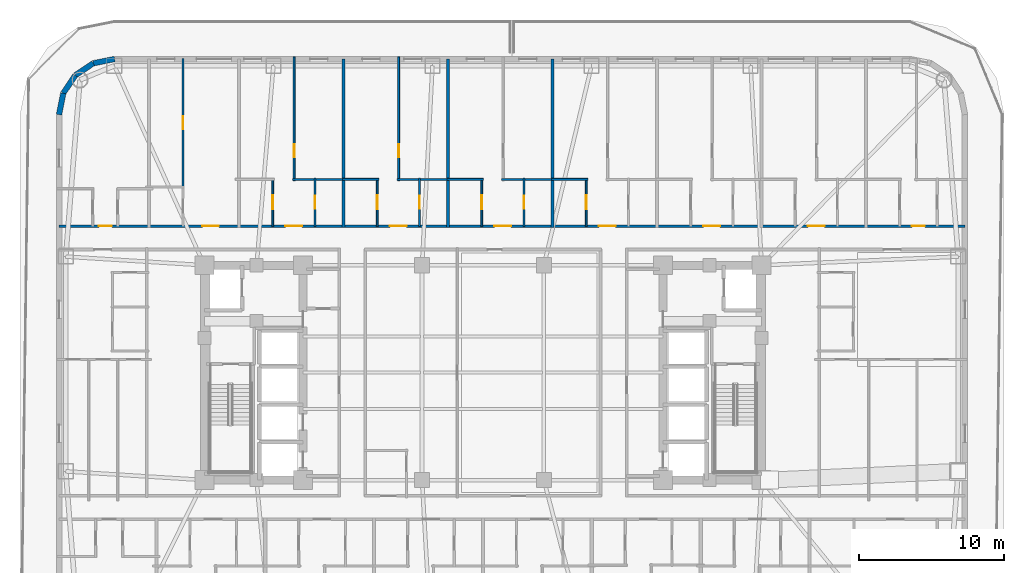
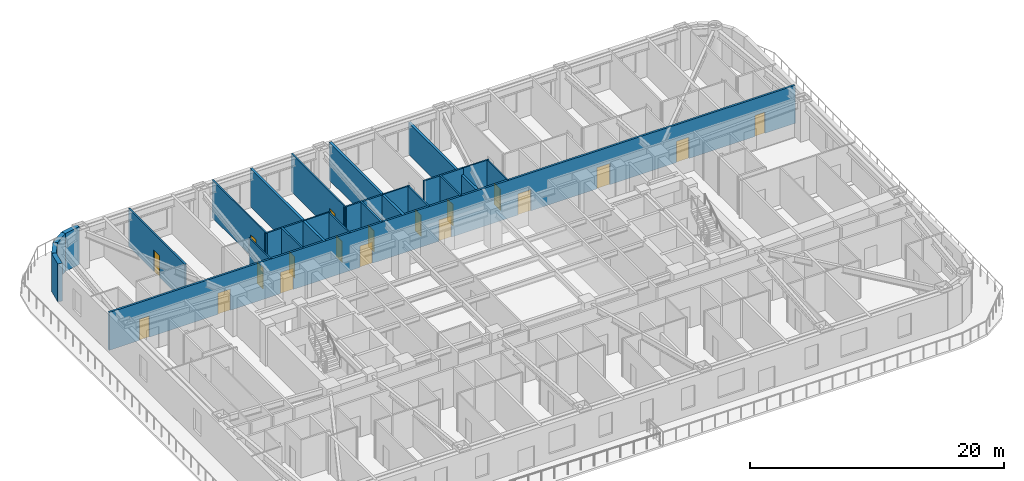
# One storey, part 8 of 16: 24 walls, 19 doors, 19 openings.
"""IFC4 building model written with IfcOpenShell, lengths in metres."""

from ifc_helpers import new_model, si_unit, direction, frame, frame_2d, origin, place, context, subcontext, project, spatial, rectangle, extrude, material, layer, layer_set, type_object, element, fill, save


model = new_model("IFC4")

# Units and contexts
model_context = context("Model", 3, precision=1e-05, world=origin(), true_north=direction((0.0, 1.0)))
body_context = subcontext(model_context, "Body", "Model", "MODEL_VIEW")
ifc_project = project(units=[si_unit("LENGTHUNIT", "METRE"), si_unit("AREAUNIT", "SQUARE_METRE"), si_unit("VOLUMEUNIT", "CUBIC_METRE"), si_unit("PLANEANGLEUNIT", "RADIAN"), si_unit("MASSUNIT", "GRAM", prefix="KILO")], contexts=[model_context])

# Site, building, storey
site_placement = place(None, origin())
site = spatial("IfcSite", under=ifc_project, at=site_placement, CompositionType="ELEMENT")
building_placement = place(site_placement, origin())
building = spatial("IfcBuilding", under=site, at=building_placement, Name="Voryun Gate Residences", CompositionType="ELEMENT")
storey_placement = place(building_placement, frame((0.0, 0.0, 113.10009765625)))
storey = spatial("IfcBuildingStorey", under=building, at=storey_placement, Name="L27", CompositionType="ELEMENT", Elevation=113.10009765625)

# Wall, openings, doors
ifc_material_1 = material(Name="Gypsum acoustic fireboard")
ifc_layer_1 = layer(ifc_material_1, 0.179931640625, Name="W_CORR_RATED_180")
ifc_layer_set_1 = layer_set([ifc_layer_1], Name="Gypsum acoustic fireboard")
wall_type_1 = type_object("IfcWallType", Name="W_CORR_RATED_180", PredefinedType="PARTITIONING", material=ifc_layer_set_1)
wall_1_placement = place(storey_placement, frame((-29.2099609375, 10.10009765625, 0.0), z_axis=(0.0, 0.0, 1.0), x_axis=(1.0, 0.0, 0.0)))
wall_1 = element("IfcWall", 1, at=wall_1_placement, inside=storey, type_object=wall_type_1, Name="Partition wall WP-L27-NCORR", PredefinedType="PARTITIONING", context=body_context, shape_type="SweptSolid", body=[
    extrude(rectangle(XDim=62.419921875, YDim=0.179931640625, at=frame_2d((31.2099609375, 0.0))), origin(), (0.0, 0.0, 1.0), 3.64990234375),
])
opening_1_placement = place(wall_1_placement, frame((2.73974609375, 0.0, 0.0)))
opening_1 = element("IfcOpeningElement", 2, at=opening_1_placement, cuts=wall_1, Name="Opening D-INT-2", PredefinedType="OPENING", context=body_context, shape_type="SweptSolid", body=[
    extrude(rectangle(XDim=0.89990234375, YDim=2.050048828125, at=frame_2d((0.449951171875, 1.02490234375))), frame((0.0, 0.099853515625, 0.0), z_axis=(0.0, -1.0, 0.0), x_axis=(1.0, 0.0, 0.0)), (0.0, 0.0, 1.0), 0.199951171875),
])
opening_2_placement = place(wall_1_placement, frame((9.867919921875, 0.0, 0.0)))
opening_2 = element("IfcOpeningElement", 3, at=opening_2_placement, cuts=wall_1, Name="Opening D-UNIT-1", PredefinedType="OPENING", context=body_context, shape_type="SweptSolid", body=[
    extrude(rectangle(XDim=1.14990234375, YDim=2.050048828125, at=frame_2d((0.574951171875, 1.02490234375))), frame((0.0, 0.099853515625, 0.0), z_axis=(0.0, -1.0, 0.0), x_axis=(1.0, 0.0, 0.0)), (0.0, 0.0, 1.0), 0.199951171875),
])
opening_3_placement = place(wall_1_placement, frame((15.597900390625, 0.0, 0.0)))
opening_3 = element("IfcOpeningElement", 4, at=opening_3_placement, cuts=wall_1, Name="Opening D-UNIT-1", PredefinedType="OPENING", context=body_context, shape_type="SweptSolid", body=[
    extrude(rectangle(XDim=1.14990234375, YDim=2.050048828125, at=frame_2d((0.574951171875, 1.02490234375))), frame((0.0, 0.099853515625, 0.0), z_axis=(0.0, -1.0, 0.0), x_axis=(1.0, 0.0, 0.0)), (0.0, 0.0, 1.0), 0.199951171875),
])
opening_4_placement = place(wall_1_placement, frame((22.80126953125, 0.0, 0.0)))
opening_4 = element("IfcOpeningElement", 5, at=opening_4_placement, cuts=wall_1, Name="Opening D-UNIT-1", PredefinedType="OPENING", context=body_context, shape_type="SweptSolid", body=[
    extrude(rectangle(XDim=1.14990234375, YDim=2.050048828125, at=frame_2d((0.574951171875, 1.02490234375))), frame((0.0, 0.099853515625, 0.0), z_axis=(0.0, -1.0, 0.0), x_axis=(1.0, 0.0, 0.0)), (0.0, 0.0, 1.0), 0.199951171875),
])
opening_5_placement = place(wall_1_placement, frame((29.998291015625, 0.0, 0.0)))
opening_5 = element("IfcOpeningElement", 6, at=opening_5_placement, cuts=wall_1, Name="Opening D-UNIT-1", PredefinedType="OPENING", context=body_context, shape_type="SweptSolid", body=[
    extrude(rectangle(XDim=1.14990234375, YDim=2.050048828125, at=frame_2d((0.574951171875, 1.02490234375))), frame((0.0, 0.099853515625, 0.0), z_axis=(0.0, -1.0, 0.0), x_axis=(1.0, 0.0, 0.0)), (0.0, 0.0, 1.0), 0.199951171875),
])
opening_6_placement = place(wall_1_placement, frame((37.20166015625, 0.0, 0.0)))
opening_6 = element("IfcOpeningElement", 7, at=opening_6_placement, cuts=wall_1, Name="Opening D-UNIT-1", PredefinedType="OPENING", context=body_context, shape_type="SweptSolid", body=[
    extrude(rectangle(XDim=1.14990234375, YDim=2.050048828125, at=frame_2d((0.574951171875, 1.02490234375))), frame((0.0, 0.099853515625, 0.0), z_axis=(0.0, -1.0, 0.0), x_axis=(1.0, 0.0, 0.0)), (0.0, 0.0, 1.0), 0.199951171875),
])
opening_7_placement = place(wall_1_placement, frame((44.398681640625, 0.0, 0.0)))
opening_7 = element("IfcOpeningElement", 8, at=opening_7_placement, cuts=wall_1, Name="Opening D-UNIT-1", PredefinedType="OPENING", context=body_context, shape_type="SweptSolid", body=[
    extrude(rectangle(XDim=1.14990234375, YDim=2.050048828125, at=frame_2d((0.574951171875, 1.02490234375))), frame((0.0, 0.099853515625, 0.0), z_axis=(0.0, -1.0, 0.0), x_axis=(1.0, 0.0, 0.0)), (0.0, 0.0, 1.0), 0.199951171875),
])
opening_8_placement = place(wall_1_placement, frame((51.601806640625, 0.0, 0.0)))
opening_8 = element("IfcOpeningElement", 9, at=opening_8_placement, cuts=wall_1, Name="Opening D-UNIT-1", PredefinedType="OPENING", context=body_context, shape_type="SweptSolid", body=[
    extrude(rectangle(XDim=1.14990234375, YDim=2.050048828125, at=frame_2d((0.574951171875, 1.02490234375))), frame((0.0, 0.099853515625, 0.0), z_axis=(0.0, -1.0, 0.0), x_axis=(1.0, 0.0, 0.0)), (0.0, 0.0, 1.0), 0.199951171875),
])
opening_9_placement = place(wall_1_placement, frame((58.76171875, 0.0, 0.0)))
opening_9 = element("IfcOpeningElement", 10, at=opening_9_placement, cuts=wall_1, Name="Opening D-INT-2", PredefinedType="OPENING", context=body_context, shape_type="SweptSolid", body=[
    extrude(rectangle(XDim=0.89990234375, YDim=2.050048828125, at=frame_2d((0.449951171875, 1.02490234375))), frame((0.0, 0.099853515625, 0.0), z_axis=(0.0, -1.0, 0.0), x_axis=(1.0, 0.0, 0.0)), (0.0, 0.0, 1.0), 0.199951171875),
])
ifc_material_2 = material(Name="Architectural oak veneer")
door_type_1 = type_object("IfcDoorType", Name="DR_INT_BATH_900", OperationType="NOTDEFINED", PredefinedType="DOOR", material=ifc_material_2)
door_1_placement = place(opening_1_placement, origin())
door_1 = element("IfcDoor", 11, at=door_1_placement, inside=storey, type_object=door_type_1, Name="Door DR-L27-NENT-1", OperationType="SINGLE_SWING_LEFT", OverallHeight=2.050048828125, OverallWidth=0.89990234375, PredefinedType="DOOR", context=body_context, shape_type="SweptSolid", body=[
    extrude(rectangle(XDim=0.89990234375, YDim=2.050048828125, at=frame_2d((0.449951171875, 1.02490234375))), frame((0.0, 0.02490234375, 0.0), z_axis=(0.0, -1.0, 0.0), x_axis=(1.0, 0.0, 0.0)), (0.0, 0.0, 1.0), 0.050048828125),
])
fill(opening_1, door_1)
door_2_placement = place(opening_9_placement, origin())
door_2 = element("IfcDoor", 12, at=door_2_placement, inside=storey, type_object=door_type_1, Name="Door DR-L27-NENT-9", OperationType="SINGLE_SWING_LEFT", OverallHeight=2.050048828125, OverallWidth=0.89990234375, PredefinedType="DOOR", context=body_context, shape_type="SweptSolid", body=[
    extrude(rectangle(XDim=0.89990234375, YDim=2.050048828125, at=frame_2d((0.449951171875, 1.02490234375))), frame((0.0, 0.02490234375, 0.0), z_axis=(0.0, -1.0, 0.0), x_axis=(1.0, 0.0, 0.0)), (0.0, 0.0, 1.0), 0.050048828125),
])
fill(opening_9, door_2)
ifc_material_3 = material(Name="Armoured timber-clad fire door", Category="wood")
door_type_2 = type_object("IfcDoorType", Name="DR_UNIT_ENTRY_1150", OperationType="NOTDEFINED", PredefinedType="DOOR", material=ifc_material_3)
door_3_placement = place(opening_2_placement, origin())
door_3 = element("IfcDoor", 13, at=door_3_placement, inside=storey, type_object=door_type_2, Name="Door DR-L27-NENT-2", OperationType="SINGLE_SWING_RIGHT", OverallHeight=2.050048828125, OverallWidth=1.14990234375, PredefinedType="DOOR", context=body_context, shape_type="SweptSolid", body=[
    extrude(rectangle(XDim=1.14990234375, YDim=2.050048828125, at=frame_2d((0.574951171875, 1.02490234375))), frame((0.0, 0.02490234375, 0.0), z_axis=(0.0, -1.0, 0.0), x_axis=(1.0, 0.0, 0.0)), (0.0, 0.0, 1.0), 0.050048828125),
])
fill(opening_2, door_3)
door_4_placement = place(opening_3_placement, origin())
door_4 = element("IfcDoor", 14, at=door_4_placement, inside=storey, type_object=door_type_2, Name="Door DR-L27-NENT-3", OperationType="SINGLE_SWING_LEFT", OverallHeight=2.050048828125, OverallWidth=1.14990234375, PredefinedType="DOOR", context=body_context, shape_type="SweptSolid", body=[
    extrude(rectangle(XDim=1.14990234375, YDim=2.050048828125, at=frame_2d((0.574951171875, 1.02490234375))), frame((0.0, 0.02490234375, 0.0), z_axis=(0.0, -1.0, 0.0), x_axis=(1.0, 0.0, 0.0)), (0.0, 0.0, 1.0), 0.050048828125),
])
fill(opening_3, door_4)
door_5_placement = place(opening_4_placement, origin())
door_5 = element("IfcDoor", 15, at=door_5_placement, inside=storey, type_object=door_type_2, Name="Door DR-L27-NENT-4", OperationType="SINGLE_SWING_RIGHT", OverallHeight=2.050048828125, OverallWidth=1.14990234375, PredefinedType="DOOR", context=body_context, shape_type="SweptSolid", body=[
    extrude(rectangle(XDim=1.14990234375, YDim=2.050048828125, at=frame_2d((0.574951171875, 1.02490234375))), frame((0.0, 0.02490234375, 0.0), z_axis=(0.0, -1.0, 0.0), x_axis=(1.0, 0.0, 0.0)), (0.0, 0.0, 1.0), 0.050048828125),
])
fill(opening_4, door_5)
door_6_placement = place(opening_5_placement, origin())
door_6 = element("IfcDoor", 16, at=door_6_placement, inside=storey, type_object=door_type_2, Name="Door DR-L27-NENT-5", OperationType="SINGLE_SWING_LEFT", OverallHeight=2.050048828125, OverallWidth=1.14990234375, PredefinedType="DOOR", context=body_context, shape_type="SweptSolid", body=[
    extrude(rectangle(XDim=1.14990234375, YDim=2.050048828125, at=frame_2d((0.574951171875, 1.02490234375))), frame((0.0, 0.02490234375, 0.0), z_axis=(0.0, -1.0, 0.0), x_axis=(1.0, 0.0, 0.0)), (0.0, 0.0, 1.0), 0.050048828125),
])
fill(opening_5, door_6)
door_7_placement = place(opening_6_placement, origin())
door_7 = element("IfcDoor", 17, at=door_7_placement, inside=storey, type_object=door_type_2, Name="Door DR-L27-NENT-6", OperationType="SINGLE_SWING_RIGHT", OverallHeight=2.050048828125, OverallWidth=1.14990234375, PredefinedType="DOOR", context=body_context, shape_type="SweptSolid", body=[
    extrude(rectangle(XDim=1.14990234375, YDim=2.050048828125, at=frame_2d((0.574951171875, 1.02490234375))), frame((0.0, 0.02490234375, 0.0), z_axis=(0.0, -1.0, 0.0), x_axis=(1.0, 0.0, 0.0)), (0.0, 0.0, 1.0), 0.050048828125),
])
fill(opening_6, door_7)
door_8_placement = place(opening_7_placement, origin())
door_8 = element("IfcDoor", 18, at=door_8_placement, inside=storey, type_object=door_type_2, Name="Door DR-L27-NENT-7", OperationType="SINGLE_SWING_LEFT", OverallHeight=2.050048828125, OverallWidth=1.14990234375, PredefinedType="DOOR", context=body_context, shape_type="SweptSolid", body=[
    extrude(rectangle(XDim=1.14990234375, YDim=2.050048828125, at=frame_2d((0.574951171875, 1.02490234375))), frame((0.0, 0.02490234375, 0.0), z_axis=(0.0, -1.0, 0.0), x_axis=(1.0, 0.0, 0.0)), (0.0, 0.0, 1.0), 0.050048828125),
])
fill(opening_7, door_8)
door_9_placement = place(opening_8_placement, origin())
door_9 = element("IfcDoor", 19, at=door_9_placement, inside=storey, type_object=door_type_2, Name="Door DR-L27-NENT-8", OperationType="SINGLE_SWING_RIGHT", OverallHeight=2.050048828125, OverallWidth=1.14990234375, PredefinedType="DOOR", context=body_context, shape_type="SweptSolid", body=[
    extrude(rectangle(XDim=1.14990234375, YDim=2.050048828125, at=frame_2d((0.574951171875, 1.02490234375))), frame((0.0, 0.02490234375, 0.0), z_axis=(0.0, -1.0, 0.0), x_axis=(1.0, 0.0, 0.0)), (0.0, 0.0, 1.0), 0.050048828125),
])
fill(opening_8, door_9)

# Walls
ifc_material_4 = material(Name="Granite masonry", Category="masonry")
ifc_layer_2 = layer(ifc_material_4, 0.3798828125, Name="W_EXT_GRANITE_380")
ifc_layer_set_2 = layer_set([ifc_layer_2], Name="Granite masonry")
wall_type_2 = type_object("IfcWallType", Name="W_EXT_GRANITE_380", PredefinedType="ELEMENTEDWALL", material=ifc_layer_set_2)
wall_2_placement = place(storey_placement, frame((-29.2099609375, 17.78125, 0.0), z_axis=(0.0, 0.0, 1.0), x_axis=(0.195086038585, 0.980786132421, 0.0)))
element("IfcWall", 20, at=wall_2_placement, inside=storey, type_object=wall_type_2, Name="Exterior wall WEXT-L27-07", PredefinedType="ELEMENTEDWALL", context=body_context, shape_type="SweptSolid", body=[
    extrude(rectangle(XDim=1.504150390625, YDim=0.3798828125, at=frame_2d((0.751953125, 0.0))), origin(), (0.0, 0.0, 1.0), 3.64990234375),
])
wall_3_placement = place(storey_placement, frame((-28.91650390625, 19.256591796875, 0.0), z_axis=(0.0, 0.0, 1.0), x_axis=(0.555610286119, 0.831442848281, 0.0)))
element("IfcWall", 21, at=wall_3_placement, inside=storey, type_object=wall_type_2, Name="Exterior wall WEXT-L27-08", PredefinedType="ELEMENTEDWALL", context=body_context, shape_type="SweptSolid", body=[
    extrude(rectangle(XDim=1.485107421875, YDim=0.3798828125, at=frame_2d((0.74267578125, 0.0))), origin(), (0.0, 0.0, 1.0), 3.64990234375),
])
wall_4_placement = place(storey_placement, frame((-28.09130859375, 20.491455078125, 0.0), z_axis=(0.0, 0.0, 1.0), x_axis=(0.831468045563, 0.555572577804, 0.0)))
element("IfcWall", 22, at=wall_4_placement, inside=storey, type_object=wall_type_2, Name="Exterior wall WEXT-L27-09", PredefinedType="ELEMENTEDWALL", context=body_context, shape_type="SweptSolid", body=[
    extrude(rectangle(XDim=1.48486328125, YDim=0.3798828125, at=frame_2d((0.742431640625, 0.0))), origin(), (0.0, 0.0, 1.0), 3.64990234375),
])
wall_5_placement = place(storey_placement, frame((-26.856689453125, 21.31640625, 0.0), z_axis=(0.0, 0.0, 1.0), x_axis=(0.980755066645, 0.195242155415, 0.0)))
element("IfcWall", 23, at=wall_5_placement, inside=storey, type_object=wall_type_2, Name="Exterior wall WEXT-L27-10", PredefinedType="ELEMENTEDWALL", context=body_context, shape_type="SweptSolid", body=[
    extrude(rectangle(XDim=1.50439453125, YDim=0.3798828125, at=frame_2d((0.752197265625, 0.0))), origin(), (0.0, 0.0, 1.0), 3.64990234375),
])
ifc_material_5 = material(Name="Concrete C40/50", Category="concrete")
ifc_layer_3 = layer(ifc_material_5, 0.219970703125, Name="W_PARTY_ACOUSTIC_220")
ifc_layer_set_3 = layer_set([ifc_layer_3], Name="Concrete C40/50")
wall_type_3 = type_object("IfcWallType", Name="W_PARTY_ACOUSTIC_220", PredefinedType="PARTITIONING", material=ifc_layer_set_3)
for number, where, z_axis, x_axis, name in (
    (24, (-9.60009765625, 10.02001953125, 0.0), (0.0, 0.0, 1.0), (0.0, 1.0, 0.0), "Partition wall WP-L27-NPTY-3"),
    (25, (-2.39990234375, 10.02001953125, 0.0), (0.0, 0.0, 1.0), (0.0, 1.0, 0.0), "Partition wall WP-L27-NPTY-4"),
):
    element("IfcWall", number, at=place(storey_placement, frame(where, z_axis=z_axis, x_axis=x_axis)), inside=storey, type_object=wall_type_3, Name=name, PredefinedType="PARTITIONING", context=body_context, shape_type="SweptSolid", body=[
        extrude(rectangle(XDim=11.590087890625, YDim=0.219970703125, at=frame_2d((5.794921875, 0.0))), origin(), (0.0, 0.0, 1.0), 3.64990234375),
    ])
wall_6_placement = place(storey_placement, frame((4.800048828125, 10.02001953125, 0.0), z_axis=(0.0, 0.0, 1.0), x_axis=(0.0, 1.0, 0.0)))
element("IfcWall", 26, at=wall_6_placement, inside=storey, type_object=wall_type_3, Name="Partition wall WP-L27-NPTY-5", PredefinedType="PARTITIONING", context=body_context, shape_type="SweptSolid", body=[
    extrude(rectangle(XDim=11.590087890625, YDim=0.219970703125, at=frame_2d((5.794921875, 0.0))), origin(), (0.0, 0.0, 1.0), 3.039794921875),
])

# Wall, opening, door
ifc_material_6 = material(Name="Gypsum acoustic partition")
ifc_layer_4 = layer(ifc_material_6, 0.125, Name="W_UNIT_PART_125")
ifc_layer_set_4 = layer_set([ifc_layer_4], Name="Gypsum acoustic partition")
wall_type_4 = type_object("IfcWallType", Name="W_UNIT_PART_125", PredefinedType="PARTITIONING", material=ifc_layer_set_4)
wall_7_placement = place(storey_placement, frame((-13.010009765625, 13.239990234375, 0.0), z_axis=(0.0, 0.0, 1.0), x_axis=(0.0, 1.0, 0.0)))
wall_7 = element("IfcWall", 27, at=wall_7_placement, inside=storey, type_object=wall_type_4, Name="Partition wall WP-L27-N3-OVR", PredefinedType="PARTITIONING", context=body_context, shape_type="SweptSolid", body=[
    extrude(rectangle(XDim=8.52001953125, YDim=0.125, at=frame_2d((4.260009765625, 0.0))), origin(), (0.0, 0.0, 1.0), 3.64990234375),
])
opening_10_placement = place(wall_7_placement, frame((1.5947265625, 0.0, 0.0)))
opening_10 = element("IfcOpeningElement", 28, at=opening_10_placement, cuts=wall_7, Name="Opening D-INT-2", PredefinedType="OPENING", context=body_context, shape_type="SweptSolid", body=[
    extrude(rectangle(XDim=0.89990234375, YDim=2.050048828125, at=frame_2d((0.449951171875, 1.02490234375))), frame((0.0, 0.072509765625, 0.0), z_axis=(0.0, -1.0, 0.0), x_axis=(1.0, 0.0, 0.0)), (0.0, 0.0, 1.0), 0.14501953125),
])
door_10_placement = place(opening_10_placement, origin())
door_10 = element("IfcDoor", 29, at=door_10_placement, inside=storey, type_object=door_type_1, Name="Door DR-L27-N3-DMB", OperationType="SINGLE_SWING_RIGHT", OverallHeight=2.050048828125, OverallWidth=0.89990234375, PredefinedType="DOOR", context=body_context, shape_type="SweptSolid", body=[
    extrude(rectangle(XDim=0.89990234375, YDim=2.050048828125, at=frame_2d((0.449951171875, 1.02490234375))), frame((0.0, 0.02490234375, 0.0), z_axis=(0.0, -1.0, 0.0), x_axis=(1.0, 0.0, 0.0)), (0.0, 0.0, 1.0), 0.050048828125),
])
fill(opening_10, door_10)

wall_8_placement = place(storey_placement, frame((-14.489990234375, 10.080078125, 0.0), z_axis=(0.0, 0.0, 1.0), x_axis=(0.0, 1.0, 0.0)))
wall_8 = element("IfcWall", 30, at=wall_8_placement, inside=storey, type_object=wall_type_4, Name="Partition wall WP-L27-N3-IVK", PredefinedType="PARTITIONING", context=body_context, shape_type="SweptSolid", body=[
    extrude(rectangle(XDim=3.31982421875, YDim=0.125, at=frame_2d((1.659912109375, 0.0))), origin(), (0.0, 0.0, 1.0), 3.64990234375),
])
opening_11_placement = place(wall_8_placement, frame((1.18505859375, 0.0, 0.0)))
opening_11 = element("IfcOpeningElement", 31, at=opening_11_placement, cuts=wall_8, Name="Opening D-INT-1", PredefinedType="OPENING", context=body_context, shape_type="SweptSolid", body=[
    extrude(rectangle(XDim=0.949951171875, YDim=2.050048828125, at=frame_2d((0.47509765625, 1.02490234375))), frame((0.0, 0.072509765625, 0.0), z_axis=(0.0, -1.0, 0.0), x_axis=(1.0, 0.0, 0.0)), (0.0, 0.0, 1.0), 0.14501953125),
])
ifc_material_7 = material(Name="Architectural oak veneer")
door_type_3 = type_object("IfcDoorType", Name="DR_INT_ROOM_950", OperationType="NOTDEFINED", PredefinedType="DOOR", material=ifc_material_7)
door_11_placement = place(opening_11_placement, origin())
door_11 = element("IfcDoor", 32, at=door_11_placement, inside=storey, type_object=door_type_3, Name="Door DR-L27-N3-DK", OperationType="SINGLE_SWING_LEFT", OverallHeight=2.050048828125, OverallWidth=0.949951171875, PredefinedType="DOOR", context=body_context, shape_type="SweptSolid", body=[
    extrude(rectangle(XDim=0.949951171875, YDim=2.050048828125, at=frame_2d((0.47509765625, 1.02490234375))), frame((0.0, 0.02490234375, 0.0), z_axis=(0.0, -1.0, 0.0), x_axis=(1.0, 0.0, 0.0)), (0.0, 0.0, 1.0), 0.050048828125),
])
fill(opening_11, door_11)

wall_9_placement = place(storey_placement, frame((-5.81005859375, 13.239990234375, 0.0), z_axis=(0.0, 0.0, 1.0), x_axis=(0.0, 1.0, 0.0)))
wall_9 = element("IfcWall", 33, at=wall_9_placement, inside=storey, type_object=wall_type_4, Name="Partition wall WP-L27-N4-OVR", PredefinedType="PARTITIONING", context=body_context, shape_type="SweptSolid", body=[
    extrude(rectangle(XDim=8.52001953125, YDim=0.125, at=frame_2d((4.260009765625, 0.0))), origin(), (0.0, 0.0, 1.0), 3.64990234375),
])
opening_12_placement = place(wall_9_placement, frame((1.5947265625, 0.0, 0.0)))
opening_12 = element("IfcOpeningElement", 34, at=opening_12_placement, cuts=wall_9, Name="Opening D-INT-2", PredefinedType="OPENING", context=body_context, shape_type="SweptSolid", body=[
    extrude(rectangle(XDim=0.89990234375, YDim=2.050048828125, at=frame_2d((0.449951171875, 1.02490234375))), frame((0.0, 0.072509765625, 0.0), z_axis=(0.0, -1.0, 0.0), x_axis=(1.0, 0.0, 0.0)), (0.0, 0.0, 1.0), 0.14501953125),
])
door_12_placement = place(opening_12_placement, origin())
door_12 = element("IfcDoor", 35, at=door_12_placement, inside=storey, type_object=door_type_1, Name="Door DR-L27-N4-DMB", OperationType="SINGLE_SWING_RIGHT", OverallHeight=2.050048828125, OverallWidth=0.89990234375, PredefinedType="DOOR", context=body_context, shape_type="SweptSolid", body=[
    extrude(rectangle(XDim=0.89990234375, YDim=2.050048828125, at=frame_2d((0.449951171875, 1.02490234375))), frame((0.0, 0.02490234375, 0.0), z_axis=(0.0, -1.0, 0.0), x_axis=(1.0, 0.0, 0.0)), (0.0, 0.0, 1.0), 0.050048828125),
])
fill(opening_12, door_12)

wall_10_placement = place(storey_placement, frame((-7.2900390625, 10.080078125, 0.0), z_axis=(0.0, 0.0, 1.0), x_axis=(0.0, 1.0, 0.0)))
wall_10 = element("IfcWall", 36, at=wall_10_placement, inside=storey, type_object=wall_type_4, Name="Partition wall WP-L27-N4-IVK", PredefinedType="PARTITIONING", context=body_context, shape_type="SweptSolid", body=[
    extrude(rectangle(XDim=3.31982421875, YDim=0.125, at=frame_2d((1.659912109375, 0.0))), origin(), (0.0, 0.0, 1.0), 3.64990234375),
])
opening_13_placement = place(wall_10_placement, frame((1.18505859375, 0.0, 0.0)))
opening_13 = element("IfcOpeningElement", 37, at=opening_13_placement, cuts=wall_10, Name="Opening D-INT-1", PredefinedType="OPENING", context=body_context, shape_type="SweptSolid", body=[
    extrude(rectangle(XDim=0.949951171875, YDim=2.050048828125, at=frame_2d((0.47509765625, 1.02490234375))), frame((0.0, 0.072509765625, 0.0), z_axis=(0.0, -1.0, 0.0), x_axis=(1.0, 0.0, 0.0)), (0.0, 0.0, 1.0), 0.14501953125),
])
door_13_placement = place(opening_13_placement, origin())
door_13 = element("IfcDoor", 38, at=door_13_placement, inside=storey, type_object=door_type_3, Name="Door DR-L27-N4-DK", OperationType="SINGLE_SWING_LEFT", OverallHeight=2.050048828125, OverallWidth=0.949951171875, PredefinedType="DOOR", context=body_context, shape_type="SweptSolid", body=[
    extrude(rectangle(XDim=0.949951171875, YDim=2.050048828125, at=frame_2d((0.47509765625, 1.02490234375))), frame((0.0, 0.02490234375, 0.0), z_axis=(0.0, -1.0, 0.0), x_axis=(1.0, 0.0, 0.0)), (0.0, 0.0, 1.0), 0.050048828125),
])
fill(opening_13, door_13)

# Wall
wall_11_placement = place(storey_placement, frame((-9.675048828125, 13.320068359375, 0.0), z_axis=(0.0, 0.0, 1.0), x_axis=(1.0, 0.0, 0.0)))
element("IfcWall", 39, at=wall_11_placement, inside=storey, type_object=wall_type_4, Name="Partition wall WP-L27-N4-HZK", PredefinedType="PARTITIONING", context=body_context, shape_type="SweptSolid", body=[
    extrude(rectangle(XDim=2.505126953125, YDim=0.125, at=frame_2d((1.25244140625, 0.0))), origin(), (0.0, 0.0, 1.0), 3.64990234375),
])

# Wall, opening, door
wall_12_placement = place(storey_placement, frame((-0.090087890625, 10.080078125, 0.0), z_axis=(0.0, 0.0, 1.0), x_axis=(0.0, 1.0, 0.0)))
wall_12 = element("IfcWall", 40, at=wall_12_placement, inside=storey, type_object=wall_type_4, Name="Partition wall WP-L27-N5-IVK", PredefinedType="PARTITIONING", context=body_context, shape_type="SweptSolid", body=[
    extrude(rectangle(XDim=3.31982421875, YDim=0.125, at=frame_2d((1.659912109375, 0.0))), origin(), (0.0, 0.0, 1.0), 3.64990234375),
])
opening_14_placement = place(wall_12_placement, frame((1.18505859375, 0.0, 0.0)))
opening_14 = element("IfcOpeningElement", 41, at=opening_14_placement, cuts=wall_12, Name="Opening D-INT-1", PredefinedType="OPENING", context=body_context, shape_type="SweptSolid", body=[
    extrude(rectangle(XDim=0.949951171875, YDim=2.050048828125, at=frame_2d((0.47509765625, 1.02490234375))), frame((0.0, 0.072509765625, 0.0), z_axis=(0.0, -1.0, 0.0), x_axis=(1.0, 0.0, 0.0)), (0.0, 0.0, 1.0), 0.14501953125),
])
door_14_placement = place(opening_14_placement, origin())
door_14 = element("IfcDoor", 42, at=door_14_placement, inside=storey, type_object=door_type_3, Name="Door DR-L27-N5-DK", OperationType="SINGLE_SWING_LEFT", OverallHeight=2.050048828125, OverallWidth=0.949951171875, PredefinedType="DOOR", context=body_context, shape_type="SweptSolid", body=[
    extrude(rectangle(XDim=0.949951171875, YDim=2.050048828125, at=frame_2d((0.47509765625, 1.02490234375))), frame((0.0, 0.02490234375, 0.0), z_axis=(0.0, -1.0, 0.0), x_axis=(1.0, 0.0, 0.0)), (0.0, 0.0, 1.0), 0.050048828125),
])
fill(opening_14, door_14)

# Wall
wall_13_placement = place(storey_placement, frame((-2.47509765625, 13.320068359375, 0.0), z_axis=(0.0, 0.0, 1.0), x_axis=(1.0, 0.0, 0.0)))
element("IfcWall", 43, at=wall_13_placement, inside=storey, type_object=wall_type_4, Name="Partition wall WP-L27-N5-HZK", PredefinedType="PARTITIONING", context=body_context, shape_type="SweptSolid", body=[
    extrude(rectangle(XDim=2.505126953125, YDim=0.125, at=frame_2d((1.25244140625, 0.0))), origin(), (0.0, 0.0, 1.0), 3.64990234375),
])

# Wall, opening, door
wall_14_placement = place(storey_placement, frame((7.110107421875, 10.080078125, 0.0), z_axis=(0.0, 0.0, 1.0), x_axis=(0.0, 1.0, 0.0)))
wall_14 = element("IfcWall", 44, at=wall_14_placement, inside=storey, type_object=wall_type_4, Name="Partition wall WP-L27-N6-IVK", PredefinedType="PARTITIONING", context=body_context, shape_type="SweptSolid", body=[
    extrude(rectangle(XDim=3.31982421875, YDim=0.125, at=frame_2d((1.659912109375, 0.0))), origin(), (0.0, 0.0, 1.0), 3.64990234375),
])
opening_15_placement = place(wall_14_placement, frame((1.18505859375, 0.0, 0.0)))
opening_15 = element("IfcOpeningElement", 45, at=opening_15_placement, cuts=wall_14, Name="Opening D-INT-1", PredefinedType="OPENING", context=body_context, shape_type="SweptSolid", body=[
    extrude(rectangle(XDim=0.949951171875, YDim=2.050048828125, at=frame_2d((0.47509765625, 1.02490234375))), frame((0.0, 0.072509765625, 0.0), z_axis=(0.0, -1.0, 0.0), x_axis=(1.0, 0.0, 0.0)), (0.0, 0.0, 1.0), 0.14501953125),
])
door_15_placement = place(opening_15_placement, origin())
door_15 = element("IfcDoor", 46, at=door_15_placement, inside=storey, type_object=door_type_3, Name="Door DR-L27-N6-DK", OperationType="SINGLE_SWING_LEFT", OverallHeight=2.050048828125, OverallWidth=0.949951171875, PredefinedType="DOOR", context=body_context, shape_type="SweptSolid", body=[
    extrude(rectangle(XDim=0.949951171875, YDim=2.050048828125, at=frame_2d((0.47509765625, 1.02490234375))), frame((0.0, 0.02490234375, 0.0), z_axis=(0.0, -1.0, 0.0), x_axis=(1.0, 0.0, 0.0)), (0.0, 0.0, 1.0), 0.050048828125),
])
fill(opening_15, door_15)

# Wall
wall_15_placement = place(storey_placement, frame((4.72509765625, 13.320068359375, 0.0), z_axis=(0.0, 0.0, 1.0), x_axis=(1.0, 0.0, 0.0)))
element("IfcWall", 47, at=wall_15_placement, inside=storey, type_object=wall_type_4, Name="Partition wall WP-L27-N6-HZK", PredefinedType="PARTITIONING", context=body_context, shape_type="SweptSolid", body=[
    extrude(rectangle(XDim=2.5048828125, YDim=0.125, at=frame_2d((1.25244140625, 0.0))), origin(), (0.0, 0.0, 1.0), 3.64990234375),
])

# Wall, opening, door
ifc_material_8 = material(Name="Gypsum moisture-resistant partition")
ifc_layer_5 = layer(ifc_material_8, 0.14990234375, Name="W_WET_PLUMB_150")
ifc_layer_set_5 = layer_set([ifc_layer_5], Name="Gypsum moisture-resistant partition")
wall_type_5 = type_object("IfcWallType", Name="W_WET_PLUMB_150", PredefinedType="PLUMBINGWALL", material=ifc_layer_set_5)
wall_16_placement = place(storey_placement, frame((-20.677978515625, 12.760009765625, 0.0), z_axis=(0.0, 0.0, 1.0), x_axis=(0.0, 1.0, 0.0)))
wall_16 = element("IfcWall", 48, at=wall_16_placement, inside=storey, type_object=wall_type_5, Name="Partition wall WP-L27-N2-SVT2", PredefinedType="PLUMBINGWALL", context=body_context, shape_type="SweptSolid", body=[
    extrude(rectangle(XDim=8.897705078125, YDim=0.14990234375, at=frame_2d((4.44873046875, 0.0))), origin(), (0.0, 0.0, 1.0), 3.64990234375),
])
opening_16_placement = place(wall_16_placement, frame((3.998779296875, 0.0, 0.0)))
opening_16 = element("IfcOpeningElement", 49, at=opening_16_placement, cuts=wall_16, Name="Opening D-INT-2", PredefinedType="OPENING", context=body_context, shape_type="SweptSolid", body=[
    extrude(rectangle(XDim=0.89990234375, YDim=2.050048828125, at=frame_2d((0.449951171875, 1.02490234375))), frame((0.0, 0.0849609375, 0.0), z_axis=(0.0, -1.0, 0.0), x_axis=(1.0, 0.0, 0.0)), (0.0, 0.0, 1.0), 0.169921875),
])
door_16_placement = place(opening_16_placement, origin())
door_16 = element("IfcDoor", 50, at=door_16_placement, inside=storey, type_object=door_type_1, Name="Door DR-L27-N2-DK", OperationType="SINGLE_SWING_RIGHT", OverallHeight=2.050048828125, OverallWidth=0.89990234375, PredefinedType="DOOR", context=body_context, shape_type="SweptSolid", body=[
    extrude(rectangle(XDim=0.89990234375, YDim=2.050048828125, at=frame_2d((0.449951171875, 1.02490234375))), frame((0.0, 0.02490234375, 0.0), z_axis=(0.0, -1.0, 0.0), x_axis=(1.0, 0.0, 0.0)), (0.0, 0.0, 1.0), 0.050048828125),
])
fill(opening_16, door_16)

# Wall
wall_17_placement = place(storey_placement, frame((-13.1298828125, 13.320068359375, 0.0), z_axis=(0.0, 0.0, 1.0), x_axis=(1.0, 0.0, 0.0)))
element("IfcWall", 51, at=wall_17_placement, inside=storey, type_object=wall_type_5, Name="Partition wall WP-L27-N3-HZB", PredefinedType="PLUMBINGWALL", context=body_context, shape_type="SweptSolid", body=[
    extrude(rectangle(XDim=3.60498046875, YDim=0.14990234375, at=frame_2d((1.802490234375, 0.0))), origin(), (0.0, 0.0, 1.0), 3.64990234375),
])

# Wall, opening, door
wall_18_placement = place(storey_placement, frame((-11.580078125, 10.080078125, 0.0), z_axis=(0.0, 0.0, 1.0), x_axis=(0.0, 1.0, 0.0)))
wall_18 = element("IfcWall", 52, at=wall_18_placement, inside=storey, type_object=wall_type_5, Name="Partition wall WP-L27-N3-IVB", PredefinedType="PLUMBINGWALL", context=body_context, shape_type="SweptSolid", body=[
    extrude(rectangle(XDim=3.31982421875, YDim=0.14990234375, at=frame_2d((1.659912109375, 0.0))), origin(), (0.0, 0.0, 1.0), 3.64990234375),
])
opening_17_placement = place(wall_18_placement, frame((1.2099609375, 0.0, 0.0)))
opening_17 = element("IfcOpeningElement", 53, at=opening_17_placement, cuts=wall_18, Name="Opening D-INT-2", PredefinedType="OPENING", context=body_context, shape_type="SweptSolid", body=[
    extrude(rectangle(XDim=0.89990234375, YDim=2.050048828125, at=frame_2d((0.449951171875, 1.02490234375))), frame((0.0, 0.0849609375, 0.0), z_axis=(0.0, -1.0, 0.0), x_axis=(1.0, 0.0, 0.0)), (0.0, 0.0, 1.0), 0.169921875),
])
door_17_placement = place(opening_17_placement, origin())
door_17 = element("IfcDoor", 54, at=door_17_placement, inside=storey, type_object=door_type_1, Name="Door DR-L27-N3-DB", OperationType="SINGLE_SWING_RIGHT", OverallHeight=2.050048828125, OverallWidth=0.89990234375, PredefinedType="DOOR", context=body_context, shape_type="SweptSolid", body=[
    extrude(rectangle(XDim=0.89990234375, YDim=2.050048828125, at=frame_2d((0.449951171875, 1.02490234375))), frame((0.0, 0.02490234375, 0.0), z_axis=(0.0, -1.0, 0.0), x_axis=(1.0, 0.0, 0.0)), (0.0, 0.0, 1.0), 0.050048828125),
])
fill(opening_17, door_17)

# Wall
wall_19_placement = place(storey_placement, frame((-5.929931640625, 13.320068359375, 0.0), z_axis=(0.0, 0.0, 1.0), x_axis=(1.0, 0.0, 0.0)))
element("IfcWall", 55, at=wall_19_placement, inside=storey, type_object=wall_type_5, Name="Partition wall WP-L27-N4-HZB", PredefinedType="PLUMBINGWALL", context=body_context, shape_type="SweptSolid", body=[
    extrude(rectangle(XDim=3.60498046875, YDim=0.14990234375, at=frame_2d((1.802490234375, 0.0))), origin(), (0.0, 0.0, 1.0), 3.64990234375),
])

# Wall, opening, door
wall_20_placement = place(storey_placement, frame((-4.3798828125, 10.080078125, 0.0), z_axis=(0.0, 0.0, 1.0), x_axis=(0.0, 1.0, 0.0)))
wall_20 = element("IfcWall", 56, at=wall_20_placement, inside=storey, type_object=wall_type_5, Name="Partition wall WP-L27-N4-IVB", PredefinedType="PLUMBINGWALL", context=body_context, shape_type="SweptSolid", body=[
    extrude(rectangle(XDim=3.31982421875, YDim=0.14990234375, at=frame_2d((1.659912109375, 0.0))), origin(), (0.0, 0.0, 1.0), 3.64990234375),
])
opening_18_placement = place(wall_20_placement, frame((1.2099609375, 0.0, 0.0)))
opening_18 = element("IfcOpeningElement", 57, at=opening_18_placement, cuts=wall_20, Name="Opening D-INT-2", PredefinedType="OPENING", context=body_context, shape_type="SweptSolid", body=[
    extrude(rectangle(XDim=0.89990234375, YDim=2.050048828125, at=frame_2d((0.449951171875, 1.02490234375))), frame((0.0, 0.0849609375, 0.0), z_axis=(0.0, -1.0, 0.0), x_axis=(1.0, 0.0, 0.0)), (0.0, 0.0, 1.0), 0.169921875),
])
door_18_placement = place(opening_18_placement, origin())
door_18 = element("IfcDoor", 58, at=door_18_placement, inside=storey, type_object=door_type_1, Name="Door DR-L27-N4-DB", OperationType="SINGLE_SWING_RIGHT", OverallHeight=2.050048828125, OverallWidth=0.89990234375, PredefinedType="DOOR", context=body_context, shape_type="SweptSolid", body=[
    extrude(rectangle(XDim=0.89990234375, YDim=2.050048828125, at=frame_2d((0.449951171875, 1.02490234375))), frame((0.0, 0.02490234375, 0.0), z_axis=(0.0, -1.0, 0.0), x_axis=(1.0, 0.0, 0.0)), (0.0, 0.0, 1.0), 0.050048828125),
])
fill(opening_18, door_18)

# Wall
wall_21_placement = place(storey_placement, frame((1.27001953125, 13.320068359375, 0.0), z_axis=(0.0, 0.0, 1.0), x_axis=(1.0, 0.0, 0.0)))
element("IfcWall", 59, at=wall_21_placement, inside=storey, type_object=wall_type_5, Name="Partition wall WP-L27-N5-HZB", PredefinedType="PLUMBINGWALL", context=body_context, shape_type="SweptSolid", body=[
    extrude(rectangle(XDim=3.60498046875, YDim=0.14990234375, at=frame_2d((1.802490234375, 0.0))), origin(), (0.0, 0.0, 1.0), 3.64990234375),
])

# Wall, opening, door
wall_22_placement = place(storey_placement, frame((2.820068359375, 10.080078125, 0.0), z_axis=(0.0, 0.0, 1.0), x_axis=(0.0, 1.0, 0.0)))
wall_22 = element("IfcWall", 60, at=wall_22_placement, inside=storey, type_object=wall_type_5, Name="Partition wall WP-L27-N5-IVB", PredefinedType="PLUMBINGWALL", context=body_context, shape_type="SweptSolid", body=[
    extrude(rectangle(XDim=3.31982421875, YDim=0.14990234375, at=frame_2d((1.659912109375, 0.0))), origin(), (0.0, 0.0, 1.0), 3.64990234375),
])
opening_19_placement = place(wall_22_placement, frame((1.2099609375, 0.0, 0.0)))
opening_19 = element("IfcOpeningElement", 61, at=opening_19_placement, cuts=wall_22, Name="Opening D-INT-2", PredefinedType="OPENING", context=body_context, shape_type="SweptSolid", body=[
    extrude(rectangle(XDim=0.89990234375, YDim=2.050048828125, at=frame_2d((0.449951171875, 1.02490234375))), frame((0.0, 0.0849609375, 0.0), z_axis=(0.0, -1.0, 0.0), x_axis=(1.0, 0.0, 0.0)), (0.0, 0.0, 1.0), 0.169921875),
])
door_19_placement = place(opening_19_placement, origin())
door_19 = element("IfcDoor", 62, at=door_19_placement, inside=storey, type_object=door_type_1, Name="Door DR-L27-N5-DB", OperationType="SINGLE_SWING_RIGHT", OverallHeight=2.050048828125, OverallWidth=0.89990234375, PredefinedType="DOOR", context=body_context, shape_type="SweptSolid", body=[
    extrude(rectangle(XDim=0.89990234375, YDim=2.050048828125, at=frame_2d((0.449951171875, 1.02490234375))), frame((0.0, 0.02490234375, 0.0), z_axis=(0.0, -1.0, 0.0), x_axis=(1.0, 0.0, 0.0)), (0.0, 0.0, 1.0), 0.050048828125),
])
fill(opening_19, door_19)

save(model, "model.ifc")
